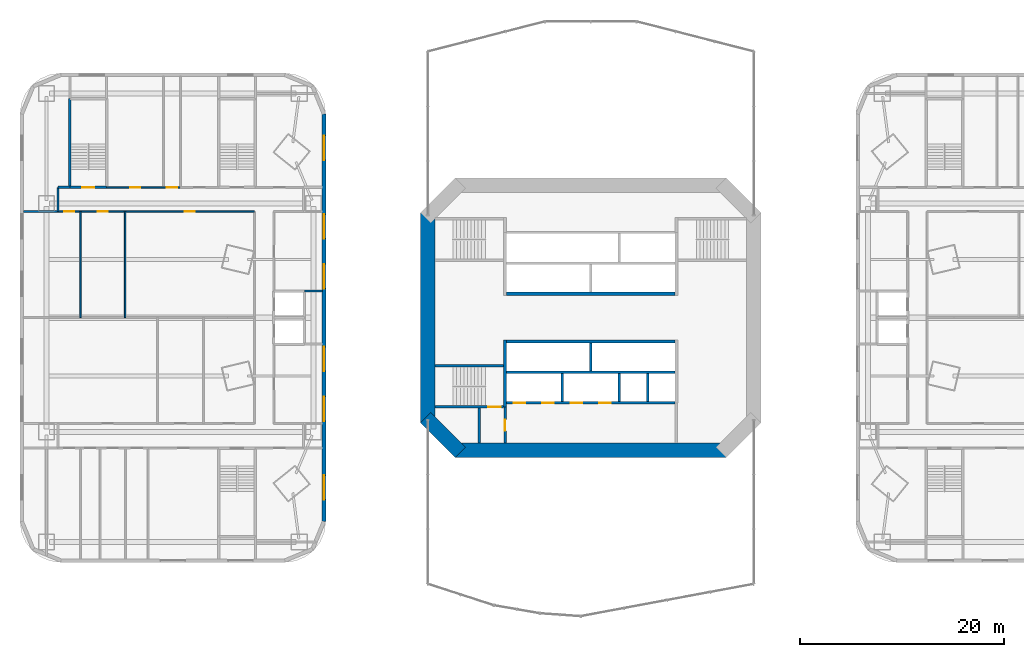
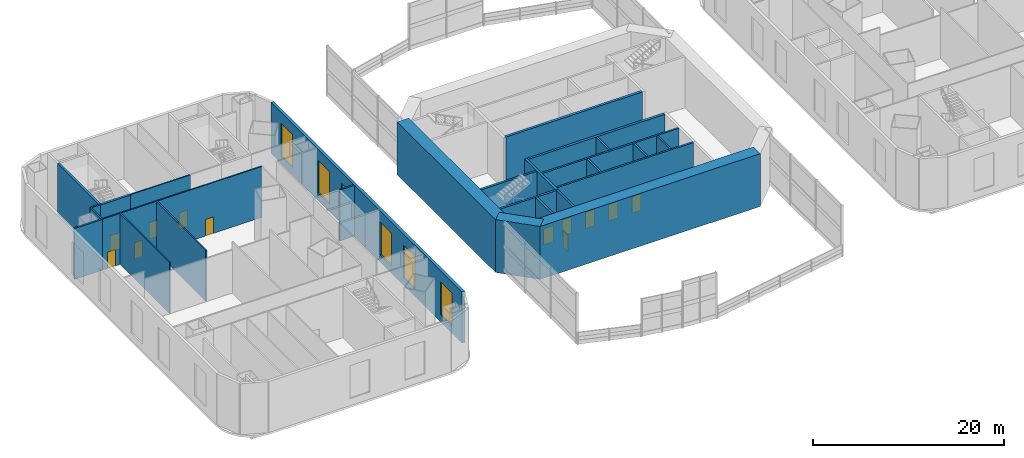
# One storey, part 11 of 19: 27 walls, 12 doors, 6 windows, 18 openings.
"""IFC4 building model written with IfcOpenShell, lengths in metres."""

from ifc_helpers import new_model, si_unit, direction, frame, frame_2d, origin, place, context, subcontext, project, spatial, rectangle, extrude, material, layer, layer_set, type_object, element, fill, save


model = new_model("IFC4")

# Units and contexts
model_context = context("Model", 3, precision=1e-05, world=origin(), true_north=direction((0.0, 1.0)))
body_context = subcontext(model_context, "Body", "Model", "MODEL_VIEW")
ifc_project = project(units=[si_unit("LENGTHUNIT", "METRE"), si_unit("AREAUNIT", "SQUARE_METRE"), si_unit("VOLUMEUNIT", "CUBIC_METRE"), si_unit("PLANEANGLEUNIT", "RADIAN"), si_unit("MASSUNIT", "GRAM", prefix="KILO")], contexts=[model_context])

# Site, building, storey
site_placement = place(None, origin())
site = spatial("IfcSite", under=ifc_project, at=site_placement, CompositionType="ELEMENT")
building_placement = place(site_placement, origin())
building = spatial("IfcBuilding", under=site, at=building_placement, Name="Marenthal Gate Tower", CompositionType="ELEMENT")
storey_placement = place(building_placement, frame((0.0, 0.0, 19.0)))
storey = spatial("IfcBuildingStorey", under=building, at=storey_placement, Name="L02", CompositionType="ELEMENT", Elevation=19.0)

# Walls
ifc_material_1 = material(Name="Concrete 60 MPa", Category="concrete")
ifc_layer_1 = layer(ifc_material_1, 1.39990234375)
ifc_layer_set_1 = layer_set([ifc_layer_1], Name="Core shear wall 1400")
wall_type_1 = type_object("IfcWallType", Name="Core shear wall 1400", PredefinedType="SHEAR", material=ifc_layer_set_1)
wall_1_placement = place(storey_placement, frame((-16.0, 10.289794921875, -0.25), z_axis=(0.0, 0.0, 1.0), x_axis=(0.0, -1.0, 0.0)))
element("IfcWall", 1, at=wall_1_placement, inside=storey, type_object=wall_type_1, Name="Core wall 06", PredefinedType="SHEAR", context=body_context, shape_type="SweptSolid", body=[
    extrude(rectangle(XDim=20.57958984375, YDim=1.39990234375, at=frame_2d((10.289794921875, 0.0))), origin(), (0.0, 0.0, 1.0), 6.75),
])
wall_2_placement = place(storey_placement, frame((-16.205078125, -9.794921875, -0.25), z_axis=(0.0, 0.0, 1.0), x_axis=(0.707106781187, -0.707106781187, 0.0)))
element("IfcWall", 2, at=wall_2_placement, inside=storey, type_object=wall_type_1, Name="Core wall 07", PredefinedType="SHEAR", context=body_context, shape_type="SweptSolid", body=[
    extrude(rectangle(XDim=4.82275390625, YDim=1.39990234375, at=frame_2d((2.411376953125, 0.0))), origin(), (0.0, 0.0, 1.0), 6.75),
])
wall_3_placement = place(storey_placement, frame((-13.289794921875, -13.0, -0.25), z_axis=(0.0, 0.0, 1.0), x_axis=(1.0, 0.0, 0.0)))
element("IfcWall", 3, at=wall_3_placement, inside=storey, type_object=wall_type_1, Name="Core wall 08", PredefinedType="SHEAR", context=body_context, shape_type="SweptSolid", body=[
    extrude(rectangle(XDim=26.57958984375, YDim=1.39990234375, at=frame_2d((13.289794921875, 0.0))), origin(), (0.0, 0.0, 1.0), 6.75),
])
ifc_material_2 = material(Name="Concrete 50 MPa", Category="concrete")
ifc_layer_2 = layer(ifc_material_2, 0.300048828125)
ifc_layer_set_2 = layer_set([ifc_layer_2], Name="Hoistway shear wall 300")
wall_type_2 = type_object("IfcWallType", Name="Hoistway shear wall 300", PredefinedType="SHEAR", material=ifc_layer_set_2)
for number, where, z_axis, x_axis, name in (
    (4, (-8.25, -2.35009765625, -0.25), (0.0, 0.0, 1.0), (1.0, 0.0, 0.0), "Hoistway wall 13"),
    (5, (-8.25, 2.35009765625, -0.25), (0.0, 0.0, 1.0), (1.0, 0.0, 0.0), "Hoistway wall 14"),
):
    element("IfcWall", number, at=place(storey_placement, frame(where, z_axis=z_axis, x_axis=x_axis)), inside=storey, type_object=wall_type_2, Name=name, PredefinedType="SHEAR", context=body_context, shape_type="SweptSolid", body=[
        extrude(rectangle(XDim=16.5, YDim=0.300048828125, at=frame_2d((8.25, 0.0))), origin(), (0.0, 0.0, 1.0), 6.75),
    ])
wall_4_placement = place(storey_placement, frame((-8.39990234375, -8.75, -0.25), z_axis=(0.0, 0.0, 1.0), x_axis=(0.0, 1.0, 0.0)))
element("IfcWall", 6, at=wall_4_placement, inside=storey, type_object=wall_type_2, Name="Hoistway wall 23", PredefinedType="SHEAR", context=body_context, shape_type="SweptSolid", body=[
    extrude(rectangle(XDim=6.550048828125, YDim=0.300048828125, at=frame_2d((3.27490234375, 0.0))), origin(), (0.0, 0.0, 1.0), 6.75),
])

# Wall, openings, doors
ifc_material_3 = material(Name="Concrete 40 MPa", Category="concrete")
ifc_layer_3 = layer(ifc_material_3, 0.219970703125)
ifc_layer_set_3 = layer_set([ifc_layer_3], Name="Hoistway wall 220")
wall_type_3 = type_object("IfcWallType", Name="Hoistway wall 220", PredefinedType="STANDARD", material=ifc_layer_set_3)
wall_5_placement = place(storey_placement, frame((-8.25, -8.35009765625, 0.0), z_axis=(0.0, 0.0, 1.0), x_axis=(1.0, 0.0, 0.0)))
wall_5 = element("IfcWall", 7, at=wall_5_placement, inside=storey, type_object=wall_type_3, Name="Hoistway wall 10", PredefinedType="STANDARD", context=body_context, shape_type="SweptSolid", body=[
    extrude(rectangle(XDim=16.5, YDim=0.219970703125, at=frame_2d((8.25, 0.0))), origin(), (0.0, 0.0, 1.0), 6.5),
])
opening_1_placement = place(wall_5_placement, frame((0.699951171875, 0.0, 0.0)))
opening_1 = element("IfcOpeningElement", 8, at=opening_1_placement, cuts=wall_5, Name="Opening LD-LF1", PredefinedType="OPENING", context=body_context, shape_type="SweptSolid", body=[
    extrude(rectangle(XDim=1.10009765625, YDim=2.10009765625, at=frame_2d((0.550048828125, 1.050048828125))), frame((0.0, 0.1201171875, 0.0), z_axis=(0.0, -1.0, 0.0), x_axis=(1.0, 0.0, 0.0)), (0.0, 0.0, 1.0), 0.239990234375),
])
opening_2_placement = place(wall_5_placement, frame((3.5, 0.0, 0.0)))
opening_2 = element("IfcOpeningElement", 9, at=opening_2_placement, cuts=wall_5, Name="Opening LD-LF2", PredefinedType="OPENING", context=body_context, shape_type="SweptSolid", body=[
    extrude(rectangle(XDim=1.10009765625, YDim=2.10009765625, at=frame_2d((0.550048828125, 1.050048828125))), frame((0.0, 0.1201171875, 0.0), z_axis=(0.0, -1.0, 0.0), x_axis=(1.0, 0.0, 0.0)), (0.0, 0.0, 1.0), 0.239990234375),
])
opening_3_placement = place(wall_5_placement, frame((6.300048828125, 0.0, 0.0)))
opening_3 = element("IfcOpeningElement", 10, at=opening_3_placement, cuts=wall_5, Name="Opening LD-SV1", PredefinedType="OPENING", context=body_context, shape_type="SweptSolid", body=[
    extrude(rectangle(XDim=1.10009765625, YDim=2.10009765625, at=frame_2d((0.550048828125, 1.050048828125))), frame((0.0, 0.1201171875, 0.0), z_axis=(0.0, -1.0, 0.0), x_axis=(1.0, 0.0, 0.0)), (0.0, 0.0, 1.0), 0.239990234375),
])
opening_4_placement = place(wall_5_placement, frame((9.10009765625, 0.0, 0.0)))
opening_4 = element("IfcOpeningElement", 11, at=opening_4_placement, cuts=wall_5, Name="Opening LD-SV2", PredefinedType="OPENING", context=body_context, shape_type="SweptSolid", body=[
    extrude(rectangle(XDim=1.10009765625, YDim=2.10009765625, at=frame_2d((0.550048828125, 1.050048828125))), frame((0.0, 0.1201171875, 0.0), z_axis=(0.0, -1.0, 0.0), x_axis=(1.0, 0.0, 0.0)), (0.0, 0.0, 1.0), 0.239990234375),
])
ifc_material_4 = material(Name="Stainless steel sliding door", Category="steel")
door_type_1 = type_object("IfcDoorType", Name="Lift landing door FD 90 1100 x 2100", OperationType="DOUBLE_DOOR_SLIDING", PredefinedType="DOOR", material=ifc_material_4)
door_1_placement = place(opening_1_placement, origin())
door_1 = element("IfcDoor", 12, at=door_1_placement, inside=storey, type_object=door_type_1, Name="Lift landing door LF1", OperationType="DOUBLE_DOOR_SLIDING", OverallHeight=2.10009765625, OverallWidth=1.10009765625, PredefinedType="DOOR", context=body_context, shape_type="SweptSolid", body=[
    extrude(rectangle(XDim=1.10009765625, YDim=2.10009765625, at=frame_2d((0.550048828125, 1.050048828125))), frame((0.0, 0.02490234375, 0.0), z_axis=(0.0, -1.0, 0.0), x_axis=(1.0, 0.0, 0.0)), (0.0, 0.0, 1.0), 0.050048828125),
])
fill(opening_1, door_1)
door_2_placement = place(opening_2_placement, origin())
door_2 = element("IfcDoor", 13, at=door_2_placement, inside=storey, type_object=door_type_1, Name="Lift landing door LF2", OperationType="DOUBLE_DOOR_SLIDING", OverallHeight=2.10009765625, OverallWidth=1.10009765625, PredefinedType="DOOR", context=body_context, shape_type="SweptSolid", body=[
    extrude(rectangle(XDim=1.10009765625, YDim=2.10009765625, at=frame_2d((0.550048828125, 1.050048828125))), frame((0.0, 0.02490234375, 0.0), z_axis=(0.0, -1.0, 0.0), x_axis=(1.0, 0.0, 0.0)), (0.0, 0.0, 1.0), 0.050048828125),
])
fill(opening_2, door_2)
door_3_placement = place(opening_3_placement, origin())
door_3 = element("IfcDoor", 14, at=door_3_placement, inside=storey, type_object=door_type_1, Name="Lift landing door SV1", OperationType="DOUBLE_DOOR_SLIDING", OverallHeight=2.10009765625, OverallWidth=1.10009765625, PredefinedType="DOOR", context=body_context, shape_type="SweptSolid", body=[
    extrude(rectangle(XDim=1.10009765625, YDim=2.10009765625, at=frame_2d((0.550048828125, 1.050048828125))), frame((0.0, 0.02490234375, 0.0), z_axis=(0.0, -1.0, 0.0), x_axis=(1.0, 0.0, 0.0)), (0.0, 0.0, 1.0), 0.050048828125),
])
fill(opening_3, door_3)
door_4_placement = place(opening_4_placement, origin())
door_4 = element("IfcDoor", 15, at=door_4_placement, inside=storey, type_object=door_type_1, Name="Lift landing door SV2", OperationType="DOUBLE_DOOR_SLIDING", OverallHeight=2.10009765625, OverallWidth=1.10009765625, PredefinedType="DOOR", context=body_context, shape_type="SweptSolid", body=[
    extrude(rectangle(XDim=1.10009765625, YDim=2.10009765625, at=frame_2d((0.550048828125, 1.050048828125))), frame((0.0, 0.02490234375, 0.0), z_axis=(0.0, -1.0, 0.0), x_axis=(1.0, 0.0, 0.0)), (0.0, 0.0, 1.0), 0.050048828125),
])
fill(opening_4, door_4)

# Walls
wall_6_placement = place(storey_placement, frame((-8.25, -5.35009765625, 0.0), z_axis=(0.0, 0.0, 1.0), x_axis=(1.0, 0.0, 0.0)))
element("IfcWall", 16, at=wall_6_placement, inside=storey, type_object=wall_type_3, Name="Hoistway wall 11", PredefinedType="STANDARD", context=body_context, shape_type="SweptSolid", body=[
    extrude(rectangle(XDim=16.5, YDim=0.219970703125, at=frame_2d((8.25, 0.0))), origin(), (0.0, 0.0, 1.0), 6.5),
])
wall_7_placement = place(storey_placement, frame((-2.800048828125, -8.239990234375, 0.0), z_axis=(0.0, 0.0, 1.0), x_axis=(0.0, 1.0, 0.0)))
element("IfcWall", 17, at=wall_7_placement, inside=storey, type_object=wall_type_3, Name="Hoistway wall 26", PredefinedType="STANDARD", context=body_context, shape_type="SweptSolid", body=[
    extrude(rectangle(XDim=2.780029296875, YDim=0.219970703125, at=frame_2d((1.39013671875, 0.0))), origin(), (0.0, 0.0, 1.0), 6.5),
])
wall_8_placement = place(storey_placement, frame((0.0, -5.239990234375, 0.0), z_axis=(0.0, 0.0, 1.0), x_axis=(0.0, 1.0, 0.0)))
element("IfcWall", 18, at=wall_8_placement, inside=storey, type_object=wall_type_3, Name="Hoistway wall 27", PredefinedType="STANDARD", context=body_context, shape_type="SweptSolid", body=[
    extrude(rectangle(XDim=2.739990234375, YDim=0.219970703125, at=frame_2d((1.3701171875, 0.0))), origin(), (0.0, 0.0, 1.0), 6.5),
])
for number, where, z_axis, x_axis, name in (
    (19, (2.800048828125, -8.239990234375, 0.0), (0.0, 0.0, 1.0), (0.0, 1.0, 0.0), "Hoistway wall 29"),
    (20, (5.60009765625, -8.239990234375, 0.0), (0.0, 0.0, 1.0), (0.0, 1.0, 0.0), "Hoistway wall 31"),
):
    element("IfcWall", number, at=place(storey_placement, frame(where, z_axis=z_axis, x_axis=x_axis)), inside=storey, type_object=wall_type_3, Name=name, PredefinedType="STANDARD", context=body_context, shape_type="SweptSolid", body=[
        extrude(rectangle(XDim=2.780029296875, YDim=0.219970703125, at=frame_2d((1.39013671875, 0.0))), origin(), (0.0, 0.0, 1.0), 6.5),
    ])

# Wall, openings, doors
ifc_material_5 = material(Name="Gypsum board on steel studs", Category="steel")
ifc_layer_4 = layer(ifc_material_5, 0.14990234375)
ifc_layer_set_4 = layer_set([ifc_layer_4], Name="Partition 150")
wall_type_4 = type_object("IfcWallType", Name="Partition 150", PredefinedType="PARTITIONING", material=ifc_layer_set_4)
wall_9_placement = place(storey_placement, frame((-52.25, 10.39990234375, 0.0), z_axis=(0.0, 0.0, 1.0), x_axis=(1.0, 0.0, 0.0)))
wall_9 = element("IfcWall", 21, at=wall_9_placement, inside=storey, type_object=wall_type_4, Name="Partition wall 58", PredefinedType="PARTITIONING", context=body_context, shape_type="SweptSolid", body=[
    extrude(rectangle(XDim=19.2548828125, YDim=0.14990234375, at=frame_2d((9.62744140625, 0.0))), origin(), (0.0, 0.0, 1.0), 6.5),
])
opening_5_placement = place(wall_9_placement, frame((12.409912109375, 0.0, 0.0)))
opening_5 = element("IfcOpeningElement", 22, at=opening_5_placement, cuts=wall_9, Name="Opening D012.22", PredefinedType="OPENING", context=body_context, shape_type="SweptSolid", body=[
    extrude(rectangle(XDim=1.0, YDim=2.10009765625, at=frame_2d((0.5, 1.050048828125))), frame((0.0, 0.0849609375, 0.0), z_axis=(0.0, -1.0, 0.0), x_axis=(1.0, 0.0, 0.0)), (0.0, 0.0, 1.0), 0.169921875),
])
opening_6_placement = place(wall_9_placement, frame((3.875, 0.0, 0.0)))
opening_6 = element("IfcOpeningElement", 23, at=opening_6_placement, cuts=wall_9, Name="Opening D012.23", PredefinedType="OPENING", context=body_context, shape_type="SweptSolid", body=[
    extrude(rectangle(XDim=1.0, YDim=2.10009765625, at=frame_2d((0.5, 1.050048828125))), frame((0.0, 0.0849609375, 0.0), z_axis=(0.0, -1.0, 0.0), x_axis=(1.0, 0.0, 0.0)), (0.0, 0.0, 1.0), 0.169921875),
])
opening_7_placement = place(wall_9_placement, frame((0.58740234375, 0.0, 0.0)))
opening_7 = element("IfcOpeningElement", 24, at=opening_7_placement, cuts=wall_9, Name="Opening D012.24", PredefinedType="OPENING", context=body_context, shape_type="SweptSolid", body=[
    extrude(rectangle(XDim=1.0, YDim=2.10009765625, at=frame_2d((0.5, 1.050048828125))), frame((0.0, 0.0849609375, 0.0), z_axis=(0.0, -1.0, 0.0), x_axis=(1.0, 0.0, 0.0)), (0.0, 0.0, 1.0), 0.169921875),
])
ifc_material_6 = material(Name="Timber door", Category="wood")
door_type_2 = type_object("IfcDoorType", Name="Door 1000 x 2100", OperationType="NOTDEFINED", PredefinedType="DOOR", material=ifc_material_6)
door_5_placement = place(opening_5_placement, frame((1.0, 0.0, 0.0), z_axis=(0.0, 0.0, 1.0), x_axis=(-1.0, 0.0, 0.0)))
door_5 = element("IfcDoor", 25, at=door_5_placement, inside=storey, type_object=door_type_2, Name="Door D012.22", OperationType="SINGLE_SWING_LEFT", OverallHeight=2.10009765625, OverallWidth=1.0, PredefinedType="DOOR", context=body_context, shape_type="SweptSolid", body=[
    extrude(rectangle(XDim=1.0, YDim=2.10009765625, at=frame_2d((0.5, 1.050048828125))), frame((0.0, 0.02490234375, 0.0), z_axis=(0.0, -1.0, 0.0), x_axis=(1.0, 0.0, 0.0)), (0.0, 0.0, 1.0), 0.050048828125),
])
fill(opening_5, door_5)
door_6_placement = place(opening_6_placement, frame((1.0, 0.0, 0.0), z_axis=(0.0, 0.0, 1.0), x_axis=(-1.0, 0.0, 0.0)))
door_6 = element("IfcDoor", 26, at=door_6_placement, inside=storey, type_object=door_type_2, Name="Door D012.23", OperationType="SINGLE_SWING_LEFT", OverallHeight=2.10009765625, OverallWidth=1.0, PredefinedType="DOOR", context=body_context, shape_type="SweptSolid", body=[
    extrude(rectangle(XDim=1.0, YDim=2.10009765625, at=frame_2d((0.5, 1.050048828125))), frame((0.0, 0.02490234375, 0.0), z_axis=(0.0, -1.0, 0.0), x_axis=(1.0, 0.0, 0.0)), (0.0, 0.0, 1.0), 0.050048828125),
])
fill(opening_6, door_6)
door_7_placement = place(opening_7_placement, frame((1.0, 0.0, 0.0), z_axis=(0.0, 0.0, 1.0), x_axis=(-1.0, 0.0, 0.0)))
door_7 = element("IfcDoor", 27, at=door_7_placement, inside=storey, type_object=door_type_2, Name="Door D012.24", OperationType="SINGLE_SWING_LEFT", OverallHeight=2.10009765625, OverallWidth=1.0, PredefinedType="DOOR", context=body_context, shape_type="SweptSolid", body=[
    extrude(rectangle(XDim=1.0, YDim=2.10009765625, at=frame_2d((0.5, 1.050048828125))), frame((0.0, 0.02490234375, 0.0), z_axis=(0.0, -1.0, 0.0), x_axis=(1.0, 0.0, 0.0)), (0.0, 0.0, 1.0), 0.050048828125),
])
fill(opening_7, door_7)

# Walls
for number, where, z_axis, x_axis, name in (
    (28, (-45.679931640625, 0.0, 0.0), (0.0, 0.0, 1.0), (0.0, 1.0, 0.0), "Partition wall 80"),
    (29, (-50.070068359375, 0.0, 0.0), (0.0, 0.0, 1.0), (0.0, 1.0, 0.0), "Partition wall 81"),
):
    element("IfcWall", number, at=place(storey_placement, frame(where, z_axis=z_axis, x_axis=x_axis)), inside=storey, type_object=wall_type_4, Name=name, PredefinedType="PARTITIONING", context=body_context, shape_type="SweptSolid", body=[
        extrude(rectangle(XDim=10.39990234375, YDim=0.14990234375, at=frame_2d((5.199951171875, 0.0))), origin(), (0.0, 0.0, 1.0), 6.5),
    ])
ifc_material_7 = material(Name="Gypsum board on steel studs", Category="steel")
ifc_layer_5 = layer(ifc_material_7, 0.199951171875)
ifc_layer_set_5 = layer_set([ifc_layer_5], Name="Partition 200")
wall_type_5 = type_object("IfcWallType", Name="Partition 200", PredefinedType="PARTITIONING", material=ifc_layer_set_5)
wall_10_placement = place(storey_placement, frame((-28.10009765625, 2.60009765625, 0.0), z_axis=(0.0, 0.0, 1.0), x_axis=(1.0, 0.0, 0.0)))
element("IfcWall", 30, at=wall_10_placement, inside=storey, type_object=wall_type_5, Name="Partition wall 94", PredefinedType="PARTITIONING", context=body_context, shape_type="SweptSolid", body=[
    extrude(rectangle(XDim=1.77001953125, YDim=0.199951171875, at=frame_2d((0.885009765625, 0.0))), origin(), (0.0, 0.0, 1.0), 6.5),
])
wall_11_placement = place(storey_placement, frame((-55.669921875, 10.39990234375, 0.0), z_axis=(0.0, 0.0, 1.0), x_axis=(1.0, 0.0, 0.0)))
element("IfcWall", 31, at=wall_11_placement, inside=storey, type_object=wall_type_5, Name="Partition wall 96", PredefinedType="PARTITIONING", context=body_context, shape_type="SweptSolid", body=[
    extrude(rectangle(XDim=3.4248046875, YDim=0.199951171875, at=frame_2d((1.71240234375, 0.0))), origin(), (0.0, 0.0, 1.0), 6.5),
])
wall_12_placement = place(storey_placement, frame((-52.25, 12.800048828125, 0.0), z_axis=(0.0, 0.0, 1.0), x_axis=(1.0, 0.0, 0.0)))
element("IfcWall", 32, at=wall_12_placement, inside=storey, type_object=wall_type_5, Name="Partition wall 00", PredefinedType="PARTITIONING", context=body_context, shape_type="SweptSolid", body=[
    extrude(rectangle(XDim=1.155029296875, YDim=0.199951171875, at=frame_2d((0.57763671875, 0.0))), origin(), (0.0, 0.0, 1.0), 6.5),
])
wall_13_placement = place(storey_placement, frame((-52.25, 10.39990234375, 0.0), z_axis=(0.0, 0.0, 1.0), x_axis=(0.0, 1.0, 0.0)))
element("IfcWall", 33, at=wall_13_placement, inside=storey, type_object=wall_type_5, Name="Partition wall 26", PredefinedType="PARTITIONING", context=body_context, shape_type="SweptSolid", body=[
    extrude(rectangle(XDim=2.400146484375, YDim=0.199951171875, at=frame_2d((1.2001953125, 0.0))), origin(), (0.0, 0.0, 1.0), 6.5),
])
ifc_material_8 = material(Name="Concrete 40 MPa", Category="concrete")
ifc_layer_6 = layer(ifc_material_8, 0.25)
ifc_layer_set_6 = layer_set([ifc_layer_6], Name="Stair enclosure wall 250")
wall_type_6 = type_object("IfcWallType", Name="Stair enclosure wall 250", PredefinedType="STANDARD", material=ifc_layer_set_6)
wall_14_placement = place(storey_placement, frame((-10.949951171875, -12.300048828125, 0.0), z_axis=(0.0, 0.0, 1.0), x_axis=(0.0, 1.0, 0.0)))
element("IfcWall", 34, at=wall_14_placement, inside=storey, type_object=wall_type_6, Name="Stair wall 21", PredefinedType="STANDARD", context=body_context, shape_type="SweptSolid", body=[
    extrude(rectangle(XDim=3.425048828125, YDim=0.25, at=frame_2d((1.71240234375, 0.0))), origin(), (0.0, 0.0, 1.0), 6.5),
])

# Wall, opening, door
wall_15_placement = place(storey_placement, frame((-8.39990234375, -12.300048828125, 0.0), z_axis=(0.0, 0.0, 1.0), x_axis=(0.0, 1.0, 0.0)))
wall_15 = element("IfcWall", 35, at=wall_15_placement, inside=storey, type_object=wall_type_6, Name="Stair wall 22", PredefinedType="STANDARD", context=body_context, shape_type="SweptSolid", body=[
    extrude(rectangle(XDim=3.550048828125, YDim=0.25, at=frame_2d((1.77490234375, 0.0))), origin(), (0.0, 0.0, 1.0), 6.5),
])
opening_8_placement = place(wall_15_placement, frame((1.199951171875, 0.0, 0.0)))
opening_8 = element("IfcOpeningElement", 36, at=opening_8_placement, cuts=wall_15, Name="Opening D002.01", PredefinedType="OPENING", context=body_context, shape_type="SweptSolid", body=[
    extrude(rectangle(XDim=1.10009765625, YDim=2.10009765625, at=frame_2d((0.550048828125, 1.050048828125))), frame((0.0, 0.135009765625, 0.0), z_axis=(0.0, -1.0, 0.0), x_axis=(1.0, 0.0, 0.0)), (0.0, 0.0, 1.0), 0.27001953125),
])
ifc_material_9 = material(Name="Steel fire door", Category="steel")
door_type_3 = type_object("IfcDoorType", Name="Fire door FD 90 1100 x 2100", OperationType="NOTDEFINED", PredefinedType="DOOR", material=ifc_material_9)
door_8_placement = place(opening_8_placement, origin())
door_8 = element("IfcDoor", 37, at=door_8_placement, inside=storey, type_object=door_type_3, Name="Door D002.01", OperationType="SINGLE_SWING_RIGHT", OverallHeight=2.10009765625, OverallWidth=1.10009765625, PredefinedType="DOOR", context=body_context, shape_type="SweptSolid", body=[
    extrude(rectangle(XDim=1.10009765625, YDim=2.10009765625, at=frame_2d((0.550048828125, 1.050048828125))), frame((0.0, 0.02490234375, 0.0), z_axis=(0.0, -1.0, 0.0), x_axis=(1.0, 0.0, 0.0)), (0.0, 0.0, 1.0), 0.050048828125),
])
fill(opening_8, door_8)

ifc_material_10 = material(Name="Concrete 50 MPa", Category="concrete")
ifc_layer_7 = layer(ifc_material_10, 0.25)
ifc_layer_set_7 = layer_set([ifc_layer_7], Name="Stair shear wall 250")
wall_type_7 = type_object("IfcWallType", Name="Stair shear wall 250", PredefinedType="SHEAR", material=ifc_layer_set_7)
wall_16_placement = place(storey_placement, frame((-15.300048828125, -8.75, -0.25), z_axis=(0.0, 0.0, 1.0), x_axis=(1.0, 0.0, 0.0)))
wall_16 = element("IfcWall", 38, at=wall_16_placement, inside=storey, type_object=wall_type_7, Name="Stair wall 09", PredefinedType="SHEAR", context=body_context, shape_type="SweptSolid", body=[
    extrude(rectangle(XDim=6.75, YDim=0.25, at=frame_2d((3.375, 0.0))), origin(), (0.0, 0.0, 1.0), 6.75),
])
opening_9_placement = place(wall_16_placement, frame((5.25, 0.0, 0.25)))
opening_9 = element("IfcOpeningElement", 39, at=opening_9_placement, cuts=wall_16, Name="Opening D001.01", PredefinedType="OPENING", context=body_context, shape_type="SweptSolid", body=[
    extrude(rectangle(XDim=1.199951171875, YDim=2.10009765625, at=frame_2d((0.60009765625, 1.050048828125))), frame((0.0, 0.135009765625, 0.0), z_axis=(0.0, -1.0, 0.0), x_axis=(1.0, 0.0, 0.0)), (0.0, 0.0, 1.0), 0.27001953125),
])
ifc_material_11 = material(Name="Steel fire door", Category="steel")
door_type_4 = type_object("IfcDoorType", Name="Fire door FD 90 1200 x 2100", OperationType="NOTDEFINED", PredefinedType="DOOR", material=ifc_material_11)
door_9_placement = place(opening_9_placement, origin())
door_9 = element("IfcDoor", 40, at=door_9_placement, inside=storey, type_object=door_type_4, Name="Door D001.01", OperationType="SINGLE_SWING_RIGHT", OverallHeight=2.10009765625, OverallWidth=1.199951171875, PredefinedType="DOOR", context=body_context, shape_type="SweptSolid", body=[
    extrude(rectangle(XDim=1.199951171875, YDim=2.10009765625, at=frame_2d((0.60009765625, 1.050048828125))), frame((0.0, 0.02490234375, 0.0), z_axis=(0.0, -1.0, 0.0), x_axis=(1.0, 0.0, 0.0)), (0.0, 0.0, 1.0), 0.050048828125),
])
fill(opening_9, door_9)

# Wall
wall_17_placement = place(storey_placement, frame((-15.300048828125, -4.699951171875, -0.25), z_axis=(0.0, 0.0, 1.0), x_axis=(1.0, 0.0, 0.0)))
element("IfcWall", 41, at=wall_17_placement, inside=storey, type_object=wall_type_7, Name="Stair wall 12", PredefinedType="SHEAR", context=body_context, shape_type="SweptSolid", body=[
    extrude(rectangle(XDim=6.75, YDim=0.25, at=frame_2d((3.375, 0.0))), origin(), (0.0, 0.0, 1.0), 6.75),
])

# Wall, opening, door
wall_18_placement = place(storey_placement, frame((-51.10498046875, 12.800048828125, 0.0), z_axis=(0.0, 0.0, 1.0), x_axis=(1.0, 0.0, 0.0)))
wall_18 = element("IfcWall", 42, at=wall_18_placement, inside=storey, type_object=wall_type_7, Name="Stair wall 32", PredefinedType="SHEAR", context=body_context, shape_type="SweptSolid", body=[
    extrude(rectangle(XDim=3.60986328125, YDim=0.25, at=frame_2d((1.804931640625, 0.0))), origin(), (0.0, 0.0, 1.0), 6.5),
])
opening_10_placement = place(wall_18_placement, frame((1.205078125, 0.0, 0.0)))
opening_10 = element("IfcOpeningElement", 43, at=opening_10_placement, cuts=wall_18, Name="Opening D001.07", PredefinedType="OPENING", context=body_context, shape_type="SweptSolid", body=[
    extrude(rectangle(XDim=1.199951171875, YDim=2.10009765625, at=frame_2d((0.60009765625, 1.050048828125))), frame((0.0, 0.135009765625, 0.0), z_axis=(0.0, -1.0, 0.0), x_axis=(1.0, 0.0, 0.0)), (0.0, 0.0, 1.0), 0.27001953125),
])
door_10_placement = place(opening_10_placement, origin())
door_10 = element("IfcDoor", 44, at=door_10_placement, inside=storey, type_object=door_type_4, Name="Door D001.07", OperationType="SINGLE_SWING_RIGHT", OverallHeight=2.10009765625, OverallWidth=1.199951171875, PredefinedType="DOOR", context=body_context, shape_type="SweptSolid", body=[
    extrude(rectangle(XDim=1.199951171875, YDim=2.10009765625, at=frame_2d((0.60009765625, 1.050048828125))), frame((0.0, 0.02490234375, 0.0), z_axis=(0.0, -1.0, 0.0), x_axis=(1.0, 0.0, 0.0)), (0.0, 0.0, 1.0), 0.050048828125),
])
fill(opening_10, door_10)

# Wall
wall_19_placement = place(storey_placement, frame((-51.10009765625, 12.800048828125, 0.0), z_axis=(0.0, 0.0, 1.0), x_axis=(0.0, 1.0, 0.0)))
element("IfcWall", 45, at=wall_19_placement, inside=storey, type_object=wall_type_7, Name="Stair wall 51", PredefinedType="SHEAR", context=body_context, shape_type="SweptSolid", body=[
    extrude(rectangle(XDim=8.699951171875, YDim=0.25, at=frame_2d((4.35009765625, 0.0))), origin(), (0.0, 0.0, 1.0), 6.5),
])

# Wall, openings, windows
ifc_material_12 = material(Name="Terracotta cladding on insulated concrete-block backing", Category="masonry")
ifc_layer_8 = layer(ifc_material_12, 0.35009765625)
ifc_layer_set_8 = layer_set([ifc_layer_8], Name="Terracotta cladding wall 350")
wall_type_8 = type_object("IfcWallType", Name="Terracotta cladding wall 350", PredefinedType="SOLIDWALL", material=ifc_layer_set_8)
wall_20_placement = place(storey_placement, frame((-26.175048828125, -19.988525390625, 0.0), z_axis=(0.0, 0.0, 1.0), x_axis=(0.0, 1.0, 0.0)))
wall_20 = element("IfcWall", 46, at=wall_20_placement, inside=storey, type_object=wall_type_8, Name="Terracotta cladding wall L02 W3", PredefinedType="SOLIDWALL", context=body_context, shape_type="SweptSolid", body=[
    extrude(rectangle(XDim=39.97705078125, YDim=0.35009765625, at=frame_2d((19.988525390625, 0.0))), origin(), (0.0, 0.0, 1.0), 6.5),
])
opening_11_placement = place(wall_20_placement, frame((2.13134765625, 0.0, 0.89990234375)))
opening_11 = element("IfcOpeningElement", 47, at=opening_11_placement, cuts=wall_20, Name="Opening WN4-L02-65", PredefinedType="OPENING", context=body_context, shape_type="SweptSolid", body=[
    extrude(rectangle(XDim=2.39990234375, YDim=4.199951171875, at=frame_2d((1.199951171875, 2.10009765625))), frame((0.0, 0.18505859375, 0.0), z_axis=(0.0, -1.0, 0.0), x_axis=(1.0, 0.0, 0.0)), (0.0, 0.0, 1.0), 0.3701171875),
])
opening_12_placement = place(wall_20_placement, frame((9.83837890625, 0.0, 0.89990234375)))
opening_12 = element("IfcOpeningElement", 48, at=opening_12_placement, cuts=wall_20, Name="Opening WN4-L02-66", PredefinedType="OPENING", context=body_context, shape_type="SweptSolid", body=[
    extrude(rectangle(XDim=2.39990234375, YDim=4.199951171875, at=frame_2d((1.199951171875, 2.10009765625))), frame((0.0, 0.18505859375, 0.0), z_axis=(0.0, -1.0, 0.0), x_axis=(1.0, 0.0, 0.0)), (0.0, 0.0, 1.0), 0.3701171875),
])
opening_13_placement = place(wall_20_placement, frame((14.738525390625, 0.0, 0.89990234375)))
opening_13 = element("IfcOpeningElement", 49, at=opening_13_placement, cuts=wall_20, Name="Opening WN4-L02-67", PredefinedType="OPENING", context=body_context, shape_type="SweptSolid", body=[
    extrude(rectangle(XDim=2.39990234375, YDim=4.199951171875, at=frame_2d((1.199951171875, 2.10009765625))), frame((0.0, 0.18505859375, 0.0), z_axis=(0.0, -1.0, 0.0), x_axis=(1.0, 0.0, 0.0)), (0.0, 0.0, 1.0), 0.3701171875),
])
opening_14_placement = place(wall_20_placement, frame((22.83837890625, 0.0, 0.89990234375)))
opening_14 = element("IfcOpeningElement", 50, at=opening_14_placement, cuts=wall_20, Name="Opening WN4-L02-68", PredefinedType="OPENING", context=body_context, shape_type="SweptSolid", body=[
    extrude(rectangle(XDim=2.39990234375, YDim=4.199951171875, at=frame_2d((1.199951171875, 2.10009765625))), frame((0.0, 0.18505859375, 0.0), z_axis=(0.0, -1.0, 0.0), x_axis=(1.0, 0.0, 0.0)), (0.0, 0.0, 1.0), 0.3701171875),
])
opening_15_placement = place(wall_20_placement, frame((27.738525390625, 0.0, 0.89990234375)))
opening_15 = element("IfcOpeningElement", 51, at=opening_15_placement, cuts=wall_20, Name="Opening WN4-L02-69", PredefinedType="OPENING", context=body_context, shape_type="SweptSolid", body=[
    extrude(rectangle(XDim=2.39990234375, YDim=4.199951171875, at=frame_2d((1.199951171875, 2.10009765625))), frame((0.0, 0.18505859375, 0.0), z_axis=(0.0, -1.0, 0.0), x_axis=(1.0, 0.0, 0.0)), (0.0, 0.0, 1.0), 0.3701171875),
])
opening_16_placement = place(wall_20_placement, frame((35.445556640625, 0.0, 0.89990234375)))
opening_16 = element("IfcOpeningElement", 52, at=opening_16_placement, cuts=wall_20, Name="Opening WN4-L02-70", PredefinedType="OPENING", context=body_context, shape_type="SweptSolid", body=[
    extrude(rectangle(XDim=2.39990234375, YDim=4.199951171875, at=frame_2d((1.199951171875, 2.10009765625))), frame((0.0, 0.18505859375, 0.0), z_axis=(0.0, -1.0, 0.0), x_axis=(1.0, 0.0, 0.0)), (0.0, 0.0, 1.0), 0.3701171875),
])
ifc_material_13 = material(Name="Aluminium and laminated impact-rated glass", Category="aluminium")
window_type = type_object("IfcWindowType", Name="Window 2400x4200 impact-rated", PartitioningType="DOUBLE_PANEL_VERTICAL", PredefinedType="WINDOW", material=ifc_material_13)
window_1_placement = place(opening_11_placement, origin())
window_1 = element("IfcWindow", 53, at=window_1_placement, inside=storey, type_object=window_type, Name="Window L02 W3 1", OverallHeight=4.199951171875, OverallWidth=2.39990234375, PartitioningType="SINGLE_PANEL", PredefinedType="WINDOW", context=body_context, shape_type="SweptSolid", body=[
    extrude(rectangle(XDim=2.39990234375, YDim=4.199951171875, at=frame_2d((1.199951171875, 2.10009765625))), frame((0.0, 0.030029296875, 0.0), z_axis=(0.0, -1.0, 0.0), x_axis=(1.0, 0.0, 0.0)), (0.0, 0.0, 1.0), 0.06005859375),
])
fill(opening_11, window_1)
window_2_placement = place(opening_12_placement, origin())
window_2 = element("IfcWindow", 54, at=window_2_placement, inside=storey, type_object=window_type, Name="Window L02 W3 2", OverallHeight=4.199951171875, OverallWidth=2.39990234375, PartitioningType="SINGLE_PANEL", PredefinedType="WINDOW", context=body_context, shape_type="SweptSolid", body=[
    extrude(rectangle(XDim=2.39990234375, YDim=4.199951171875, at=frame_2d((1.199951171875, 2.10009765625))), frame((0.0, 0.030029296875, 0.0), z_axis=(0.0, -1.0, 0.0), x_axis=(1.0, 0.0, 0.0)), (0.0, 0.0, 1.0), 0.06005859375),
])
fill(opening_12, window_2)
window_3_placement = place(opening_13_placement, origin())
window_3 = element("IfcWindow", 55, at=window_3_placement, inside=storey, type_object=window_type, Name="Window L02 W3 3", OverallHeight=4.199951171875, OverallWidth=2.39990234375, PartitioningType="SINGLE_PANEL", PredefinedType="WINDOW", context=body_context, shape_type="SweptSolid", body=[
    extrude(rectangle(XDim=2.39990234375, YDim=4.199951171875, at=frame_2d((1.199951171875, 2.10009765625))), frame((0.0, 0.030029296875, 0.0), z_axis=(0.0, -1.0, 0.0), x_axis=(1.0, 0.0, 0.0)), (0.0, 0.0, 1.0), 0.06005859375),
])
fill(opening_13, window_3)
window_4_placement = place(opening_14_placement, origin())
window_4 = element("IfcWindow", 56, at=window_4_placement, inside=storey, type_object=window_type, Name="Window L02 W3 4", OverallHeight=4.199951171875, OverallWidth=2.39990234375, PartitioningType="SINGLE_PANEL", PredefinedType="WINDOW", context=body_context, shape_type="SweptSolid", body=[
    extrude(rectangle(XDim=2.39990234375, YDim=4.199951171875, at=frame_2d((1.199951171875, 2.10009765625))), frame((0.0, 0.030029296875, 0.0), z_axis=(0.0, -1.0, 0.0), x_axis=(1.0, 0.0, 0.0)), (0.0, 0.0, 1.0), 0.06005859375),
])
fill(opening_14, window_4)
window_5_placement = place(opening_15_placement, origin())
window_5 = element("IfcWindow", 57, at=window_5_placement, inside=storey, type_object=window_type, Name="Window L02 W3 5", OverallHeight=4.199951171875, OverallWidth=2.39990234375, PartitioningType="SINGLE_PANEL", PredefinedType="WINDOW", context=body_context, shape_type="SweptSolid", body=[
    extrude(rectangle(XDim=2.39990234375, YDim=4.199951171875, at=frame_2d((1.199951171875, 2.10009765625))), frame((0.0, 0.030029296875, 0.0), z_axis=(0.0, -1.0, 0.0), x_axis=(1.0, 0.0, 0.0)), (0.0, 0.0, 1.0), 0.06005859375),
])
fill(opening_15, window_5)
window_6_placement = place(opening_16_placement, origin())
window_6 = element("IfcWindow", 58, at=window_6_placement, inside=storey, type_object=window_type, Name="Window L02 W3 6", OverallHeight=4.199951171875, OverallWidth=2.39990234375, PartitioningType="SINGLE_PANEL", PredefinedType="WINDOW", context=body_context, shape_type="SweptSolid", body=[
    extrude(rectangle(XDim=2.39990234375, YDim=4.199951171875, at=frame_2d((1.199951171875, 2.10009765625))), frame((0.0, 0.030029296875, 0.0), z_axis=(0.0, -1.0, 0.0), x_axis=(1.0, 0.0, 0.0)), (0.0, 0.0, 1.0), 0.06005859375),
])
fill(opening_16, window_6)

# Wall, openings, doors
ifc_material_14 = material(Name="Gypsum board on steel studs", Category="steel")
ifc_layer_9 = layer(ifc_material_14, 0.14990234375)
ifc_layer_set_9 = layer_set([ifc_layer_9], Name="Wet room partition 150")
wall_type_9 = type_object("IfcWallType", Name="Wet room partition 150", PredefinedType="PARTITIONING", material=ifc_layer_set_9)
wall_21_placement = place(storey_placement, frame((-47.5048828125, 12.800048828125, 0.0), z_axis=(0.0, 0.0, 1.0), x_axis=(1.0, 0.0, 0.0)))
wall_21 = element("IfcWall", 59, at=wall_21_placement, inside=storey, type_object=wall_type_9, Name="Wet wall 54", PredefinedType="PARTITIONING", context=body_context, shape_type="SweptSolid", body=[
    extrude(rectangle(XDim=7.239990234375, YDim=0.14990234375, at=frame_2d((3.6201171875, 0.0))), origin(), (0.0, 0.0, 1.0), 6.5),
])
opening_17_placement = place(wall_21_placement, frame((5.919921875, 0.0, 0.0)))
opening_17 = element("IfcOpeningElement", 60, at=opening_17_placement, cuts=wall_21, Name="Opening D012.20", PredefinedType="OPENING", context=body_context, shape_type="SweptSolid", body=[
    extrude(rectangle(XDim=1.0, YDim=2.10009765625, at=frame_2d((0.5, 1.050048828125))), frame((0.0, 0.0849609375, 0.0), z_axis=(0.0, -1.0, 0.0), x_axis=(1.0, 0.0, 0.0)), (0.0, 0.0, 1.0), 0.169921875),
])
opening_18_placement = place(wall_21_placement, frame((2.304931640625, 0.0, 0.0)))
opening_18 = element("IfcOpeningElement", 61, at=opening_18_placement, cuts=wall_21, Name="Opening D012.21", PredefinedType="OPENING", context=body_context, shape_type="SweptSolid", body=[
    extrude(rectangle(XDim=1.0, YDim=2.10009765625, at=frame_2d((0.5, 1.050048828125))), frame((0.0, 0.0849609375, 0.0), z_axis=(0.0, -1.0, 0.0), x_axis=(1.0, 0.0, 0.0)), (0.0, 0.0, 1.0), 0.169921875),
])
door_11_placement = place(opening_17_placement, origin())
door_11 = element("IfcDoor", 62, at=door_11_placement, inside=storey, type_object=door_type_2, Name="Door D012.20", OperationType="SINGLE_SWING_RIGHT", OverallHeight=2.10009765625, OverallWidth=1.0, PredefinedType="DOOR", context=body_context, shape_type="SweptSolid", body=[
    extrude(rectangle(XDim=1.0, YDim=2.10009765625, at=frame_2d((0.5, 1.050048828125))), frame((0.0, 0.02490234375, 0.0), z_axis=(0.0, -1.0, 0.0), x_axis=(1.0, 0.0, 0.0)), (0.0, 0.0, 1.0), 0.050048828125),
])
fill(opening_17, door_11)
door_12_placement = place(opening_18_placement, origin())
door_12 = element("IfcDoor", 63, at=door_12_placement, inside=storey, type_object=door_type_2, Name="Door D012.21", OperationType="SINGLE_SWING_RIGHT", OverallHeight=2.10009765625, OverallWidth=1.0, PredefinedType="DOOR", context=body_context, shape_type="SweptSolid", body=[
    extrude(rectangle(XDim=1.0, YDim=2.10009765625, at=frame_2d((0.5, 1.050048828125))), frame((0.0, 0.02490234375, 0.0), z_axis=(0.0, -1.0, 0.0), x_axis=(1.0, 0.0, 0.0)), (0.0, 0.0, 1.0), 0.050048828125),
])
fill(opening_18, door_12)

save(model, "model.ifc")
